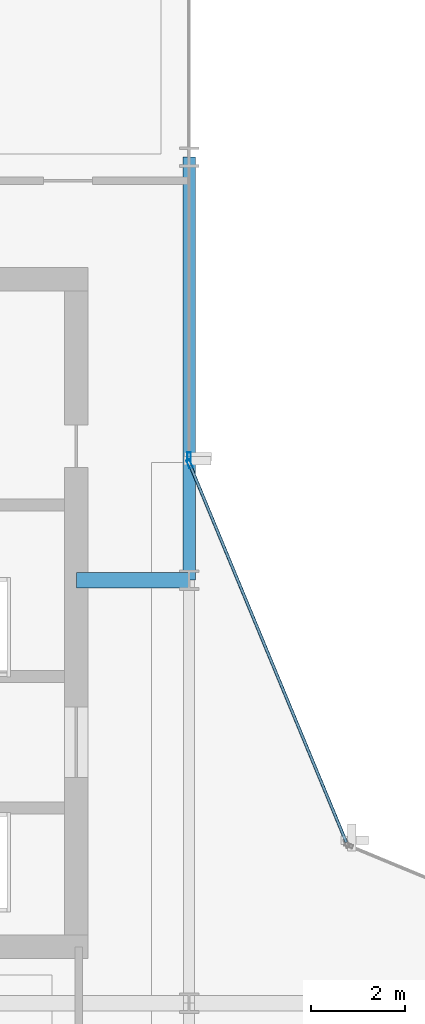
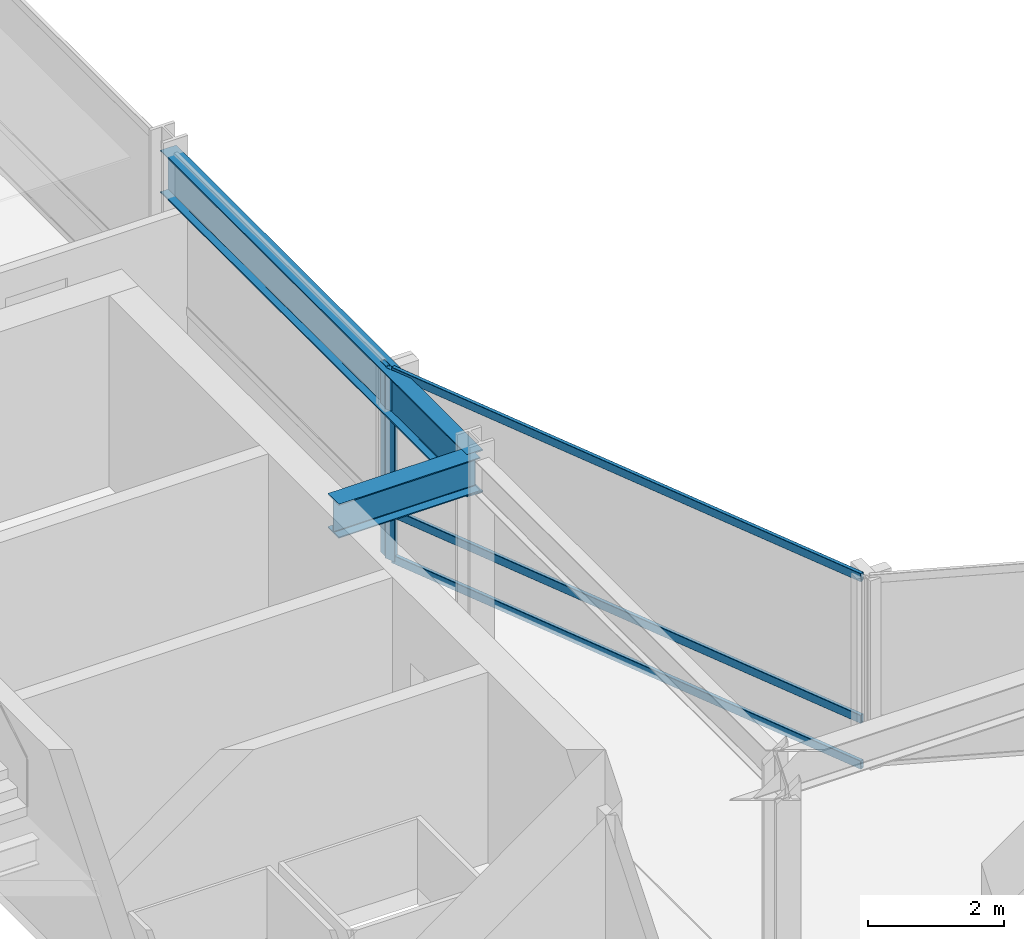
# One storey, part 17 of 28: 5 members, 2 beams, 2 elements without a shape of their own.
"""IFC4 building model written with IfcOpenShell, lengths in metres."""

from ifc_helpers import new_model, si_unit, direction, frame, origin, origin_2d, place, context, subcontext, project, spatial, hollow_rectangle, i_section, extrude, material, layer, layer_set, material_profile, profile_set, type_object, element, aggregate, save


model = new_model("IFC4")

# Units and contexts
model_context = context("Model", 3, precision=1e-05, world=origin(), true_north=direction((0.0, 1.0)))
body_context = subcontext(model_context, "Body", "Model", "MODEL_VIEW")
ifc_project = project(units=[si_unit("LENGTHUNIT", "METRE"), si_unit("AREAUNIT", "SQUARE_METRE"), si_unit("VOLUMEUNIT", "CUBIC_METRE"), si_unit("PLANEANGLEUNIT", "RADIAN"), si_unit("MASSUNIT", "GRAM", prefix="KILO")], contexts=[model_context])

# Site, building, storey
site_placement = place(None, origin())
site = spatial("IfcSite", under=ifc_project, at=site_placement, CompositionType="ELEMENT")
building_placement = place(site_placement, origin())
building = spatial("IfcBuilding", under=site, at=building_placement, Name="Solvaryn Broadcast Tower", CompositionType="ELEMENT")
storey_placement = place(building_placement, frame((0.0, 0.0, 150.699951171875)))
storey = spatial("IfcBuildingStorey", under=building, at=storey_placement, Name="L37", CompositionType="ELEMENT", Elevation=150.699951171875)

# Beams
ifc_material_1 = material(Name="Steel ASTM A992 Grade 50", Category="steel")
ifc_material_profile_1 = material_profile(ifc_material_1, i_section(OverallWidth=0.323974609375, OverallDepth=0.611083984375, WebThickness=0.0126953125, FlangeThickness=0.01904296875, FilletRadius=0.014892578125, at=origin_2d()))
ifc_profile_set_1 = profile_set([ifc_material_profile_1], Name="Steel ASTM A992 Grade 50")
beam_type_1 = type_object("IfcBeamType", Name="BM-B1-W24X104", PredefinedType="BEAM", material=ifc_profile_set_1)
beam_1_placement = place(storey_placement, frame((24.60009765625, 36.0, 3.114501953125), z_axis=(1.0, 0.0, 0.0), x_axis=(0.0, 1.0, 0.0)))
element("IfcBeam", 1, at=beam_1_placement, inside=storey, type_object=beam_type_1, Name="L37 Core Tie Beam CTW2", PredefinedType="BEAM", context=body_context, shape_type="SweptSolid", body=[
    extrude(i_section(OverallWidth=0.323974609375, OverallDepth=0.611083984375, WebThickness=0.0126953125, FlangeThickness=0.01904296875, FilletRadius=0.014892578125, at=origin_2d()), origin(), (0.0, 0.0, 1.0), 2.39990234375),
])
ifc_material_2 = material(Name="Steel ASTM A992 Grade 50", Category="steel")
ifc_material_profile_2 = material_profile(ifc_material_2, i_section(OverallWidth=0.26708984375, OverallDepth=0.76611328125, WebThickness=0.014892578125, FlangeThickness=0.023681640625, FilletRadius=0.01806640625, at=origin_2d()))
ifc_profile_set_2 = profile_set([ifc_material_profile_2], Name="Steel ASTM A992 Grade 50")
beam_type_2 = type_object("IfcBeamType", Name="BM-SP2-W30X124", PredefinedType="USERDEFINED", material=ifc_profile_set_2)
beam_2_placement = place(storey_placement, frame((27.0, 36.0, 3.037109375), z_axis=(0.0, 1.0, 0.0), x_axis=(-1.0, 0.0, 0.0)))
element("IfcBeam", 2, at=beam_2_placement, inside=storey, type_object=beam_type_2, Name="L37 Spandrel Beam Y (36-45 @ X=27)", ObjectType="SPANDREL", PredefinedType="USERDEFINED", context=body_context, shape_type="SweptSolid", body=[
    extrude(i_section(OverallWidth=0.26708984375, OverallDepth=0.76611328125, WebThickness=0.014892578125, FlangeThickness=0.023681640625, FilletRadius=0.01806640625, at=origin_2d()), origin(), (0.0, 0.0, 1.0), 9.0),
])

# Curtain wall, member
ifc_material_3 = material(Name="Aluminium and Terracotta Unitised Curtain Wall", Category="masonry")
ifc_layer = layer(ifc_material_3, 0.199951171875)
ifc_layer_set = layer_set([ifc_layer], Name="CW-SYS2-LOWMID")
curtain_wall_type = type_object("IfcCurtainWallType", Name="CW-SYS2-LOWMID", PredefinedType="NOTDEFINED", material=ifc_layer_set)
curtain_wall_1_placement = place(storey_placement, origin())
curtain_wall_1 = element("IfcCurtainWall", 3, at=curtain_wall_1_placement, inside=storey, type_object=curtain_wall_type, Name="L37 Curtain Wall IV", PredefinedType="NOTDEFINED")
ifc_material_4 = material(Name="Anodised Aluminium 6063-T6", Category="aluminium")
ifc_material_profile_3 = material_profile(ifc_material_4, hollow_rectangle(XDim=0.074951171875, YDim=0.179931640625, WallThickness=0.00390625, InnerFilletRadius=0.00390625, OuterFilletRadius=0.008056640625, at=origin_2d()))
ifc_profile_set_3 = profile_set([ifc_material_profile_3], Name="Anodised Aluminium 6063-T6")
member_type_1 = type_object("IfcMemberType", Name="CW-MUL-180", PredefinedType="MULLION", material=ifc_profile_set_3)
member_1_placement = place(storey_placement, frame((27.0, 38.6298828125, 0.0), z_axis=(0.0, 0.0, 1.0), x_axis=(1.0, 0.0, 0.0)))
member_1 = element("IfcMember", 4, at=member_1_placement, type_object=member_type_1, Name="CWS2 mullion 2", PredefinedType="MULLION", context=body_context, shape_type="SweptSolid", body=[
    extrude(hollow_rectangle(XDim=0.074951171875, YDim=0.179931640625, WallThickness=0.00390625, InnerFilletRadius=0.00390625, OuterFilletRadius=0.008056640625, at=origin_2d()), origin(), (0.0, 0.0, 1.0), 3.420166015625),
])
aggregate(curtain_wall_1, [member_1])

# Curtain wall, members
curtain_wall_2_placement = place(storey_placement, origin())
curtain_wall_2 = element("IfcCurtainWall", 5, at=curtain_wall_2_placement, inside=storey, type_object=curtain_wall_type, Name="L37 Curtain Wall CN2", PredefinedType="NOTDEFINED")
member_2_placement = place(storey_placement, frame((27.011474609375, 38.47216796875, 0.0), z_axis=(0.0, 0.0, 1.0), x_axis=(-0.923894983957, -0.382646127145, 0.0)))
member_2 = element("IfcMember", 6, at=member_2_placement, type_object=member_type_1, Name="CWS2 mullion 2", PredefinedType="MULLION", context=body_context, shape_type="SweptSolid", body=[
    extrude(hollow_rectangle(XDim=0.074951171875, YDim=0.179931640625, WallThickness=0.00390625, InnerFilletRadius=0.00390625, OuterFilletRadius=0.008056640625, at=origin_2d()), origin(), (0.0, 0.0, 1.0), 3.420166015625),
])
ifc_material_5 = material(Name="Anodised Aluminium 6063-T6", Category="aluminium")
ifc_material_profile_4 = material_profile(ifc_material_5, hollow_rectangle(XDim=0.06494140625, YDim=0.14990234375, WallThickness=0.00390625, InnerFilletRadius=0.00390625, OuterFilletRadius=0.008056640625, at=origin_2d()))
ifc_profile_set_4 = profile_set([ifc_material_profile_4], Name="Anodised Aluminium 6063-T6")
member_type_2 = type_object("IfcMemberType", Name="CW-TRN-150", PredefinedType="USERDEFINED", material=ifc_profile_set_4)
member_3_placement = place(storey_placement, frame((30.344970703125, 30.42333984375, 0.030029296875), z_axis=(-0.382635748975, 0.923899282177, 0.0), x_axis=(-0.923899282177, -0.382635748975, 0.0)))
member_3 = element("IfcMember", 7, at=member_3_placement, type_object=member_type_2, Name="CWS2 transom 1.1", ObjectType="TRANSOM", PredefinedType="USERDEFINED", context=body_context, shape_type="SweptSolid", body=[
    extrude(hollow_rectangle(XDim=0.06494140625, YDim=0.14990234375, WallThickness=0.00390625, InnerFilletRadius=0.00390625, OuterFilletRadius=0.008056640625, at=origin_2d()), origin(), (0.0, 0.0, 1.0), 8.681884765625),
])
member_4_placement = place(storey_placement, frame((30.344970703125, 30.42333984375, 0.85009765625), z_axis=(-0.382635748975, 0.923899282177, 0.0), x_axis=(-0.923899282177, -0.382635748975, 0.0)))
member_4 = element("IfcMember", 8, at=member_4_placement, type_object=member_type_2, Name="CWS2 transom 1.2", ObjectType="TRANSOM", PredefinedType="USERDEFINED", context=body_context, shape_type="SweptSolid", body=[
    extrude(hollow_rectangle(XDim=0.06494140625, YDim=0.14990234375, WallThickness=0.00390625, InnerFilletRadius=0.00390625, OuterFilletRadius=0.008056640625, at=origin_2d()), origin(), (0.0, 0.0, 1.0), 8.681884765625),
])
member_5_placement = place(storey_placement, frame((30.344970703125, 30.42333984375, 3.39013671875), z_axis=(-0.382635748975, 0.923899282177, 0.0), x_axis=(-0.923899282177, -0.382635748975, 0.0)))
member_5 = element("IfcMember", 9, at=member_5_placement, type_object=member_type_2, Name="CWS2 transom 1.3", ObjectType="TRANSOM", PredefinedType="USERDEFINED", context=body_context, shape_type="SweptSolid", body=[
    extrude(hollow_rectangle(XDim=0.06494140625, YDim=0.14990234375, WallThickness=0.00390625, InnerFilletRadius=0.00390625, OuterFilletRadius=0.008056640625, at=origin_2d()), origin(), (0.0, 0.0, 1.0), 8.681884765625),
])
aggregate(curtain_wall_2, [member_2, member_3, member_4, member_5])

save(model, "model.ifc")
